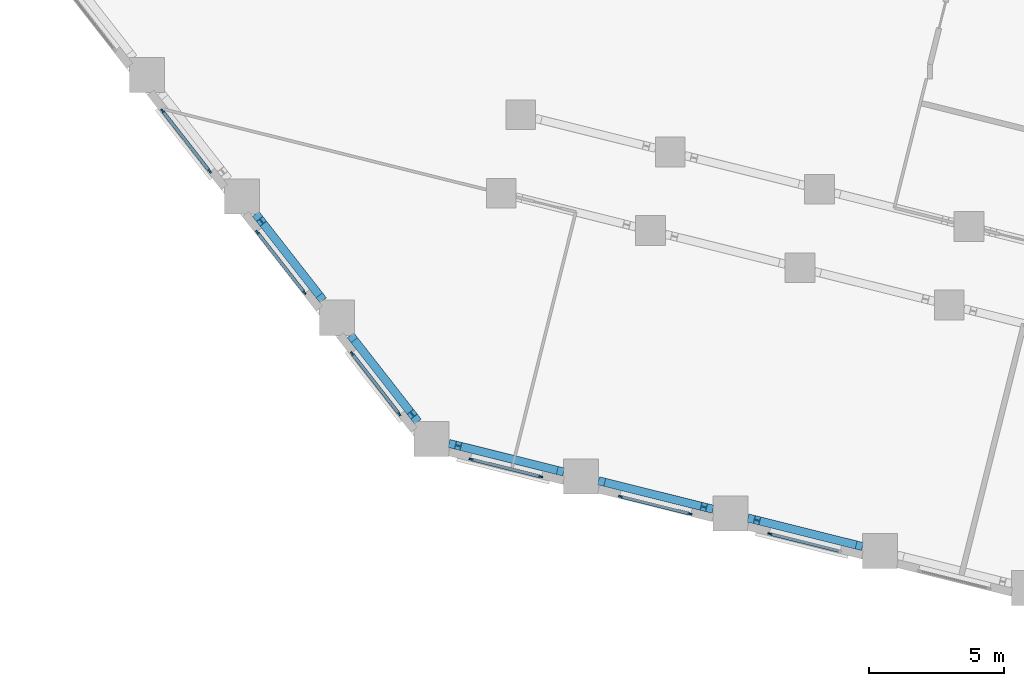
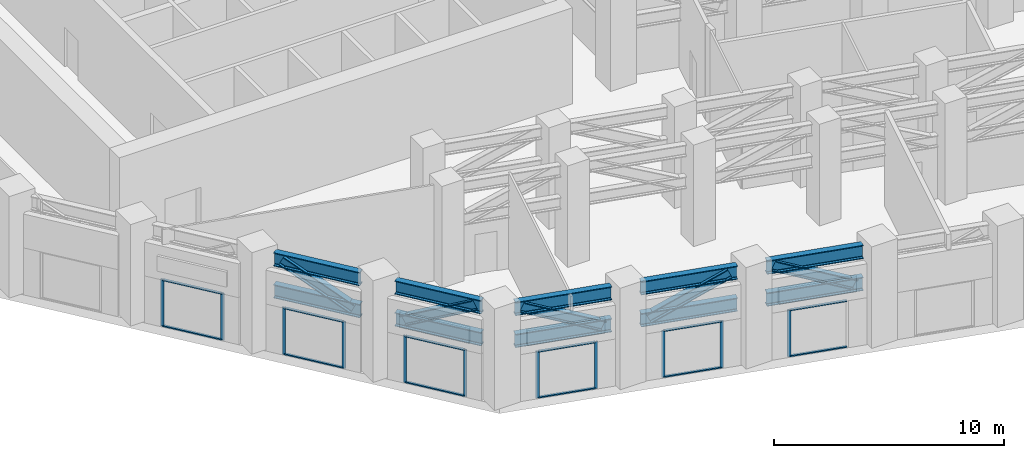
# One storey, part 2 of 21: 28 members, 10 beams, 6 elements without a shape of their own.
"""IFC4 building model written with IfcOpenShell, lengths in metres."""

from ifc_helpers import new_model, si_unit, direction, frame, origin, origin_2d, place, context, subcontext, project, spatial, rectangle, i_section, extrude, material, material_profile, profile_set, type_object, element, aggregate, save


model = new_model("IFC4")

# Units and contexts
model_context = context("Model", 3, precision=1e-05, world=origin(), true_north=direction((0.0, 1.0)))
body_context = subcontext(model_context, "Body", "Model", "MODEL_VIEW")
ifc_project = project(units=[si_unit("LENGTHUNIT", "METRE"), si_unit("AREAUNIT", "SQUARE_METRE"), si_unit("VOLUMEUNIT", "CUBIC_METRE"), si_unit("PLANEANGLEUNIT", "RADIAN"), si_unit("MASSUNIT", "GRAM", prefix="KILO")], contexts=[model_context])

# Site, building, storey
site_placement = place(None, origin())
site = spatial("IfcSite", under=ifc_project, at=site_placement, CompositionType="ELEMENT")
building_placement = place(site_placement, origin())
building = spatial("IfcBuilding", under=site, at=building_placement, Name="Meshkara Civic Tower", CompositionType="ELEMENT")
storey_placement = place(building_placement, frame((0.0, 0.0, 156.0)))
storey = spatial("IfcBuildingStorey", under=building, at=storey_placement, Name="L35", CompositionType="ELEMENT", Elevation=156.0)

# Beams
ifc_material_1 = material(Name="Steel S355", Category="steel")
ifc_material_profile_1 = material_profile(ifc_material_1, i_section(OverallWidth=0.303955078125, OverallDepth=0.716064453125, WebThickness=0.02099609375, FlangeThickness=0.0400390625, FilletRadius=0.027099609375, at=origin_2d()))
ifc_profile_set_1 = profile_set([ifc_material_profile_1], Name="Steel S355")
beam_type = type_object("IfcBeamType", Name="Belt truss chord HEM 700 S355", PredefinedType="BEAM", material=ifc_profile_set_1)
for number, where, z_axis, x_axis, name in (
    (1, (10.337890625, 4.598876953125, 4.741943359375), (0.61568372316, -0.787993371188, 0.0), (0.787993371188, 0.61568372316, 0.0), "Belt truss chord BBOW02-BOW01"),
    (2, (10.337890625, 4.598876953125, 3.0419921875), (0.61568372316, -0.787993371188, 0.0), (0.787993371188, 0.61568372316, 0.0), "Belt truss chord BBOW02-BOW01"),
):
    element("IfcBeam", number, at=place(storey_placement, frame(where, z_axis=z_axis, x_axis=x_axis)), inside=storey, type_object=beam_type, Name=name, PredefinedType="BEAM", context=body_context, shape_type="SweptSolid", body=[
        extrude(i_section(OverallWidth=0.303955078125, OverallDepth=0.716064453125, WebThickness=0.02099609375, FlangeThickness=0.0400390625, FilletRadius=0.027099609375, at=origin_2d()), origin(), (0.0, 0.0, 1.0), 4.059326171875),
    ])
for number, where, z_axis, x_axis, name in (
    (3, (13.8466796875, 0.10791015625, 4.741943359375), (0.615604368214, -0.78805536724, 0.0), (0.78805536724, 0.615604368214, 0.0), "Belt truss chord BBOW01-BOW00"),
    (4, (13.8466796875, 0.10791015625, 3.0419921875), (0.615604368214, -0.78805536724, 0.0), (0.78805536724, 0.615604368214, 0.0), "Belt truss chord BBOW01-BOW00"),
):
    element("IfcBeam", number, at=place(storey_placement, frame(where, z_axis=z_axis, x_axis=x_axis)), inside=storey, type_object=beam_type, Name=name, PredefinedType="BEAM", context=body_context, shape_type="SweptSolid", body=[
        extrude(i_section(OverallWidth=0.303955078125, OverallDepth=0.716064453125, WebThickness=0.02099609375, FlangeThickness=0.0400390625, FilletRadius=0.027099609375, at=origin_2d()), origin(), (0.0, 0.0, 1.0), 4.060302734375),
    ])
for number, where, z_axis, x_axis, name in (
    (5, (17.49609375, -3.898681640625, 4.741943359375), (0.970280349033, -0.241983562004, 0.0), (0.241983562004, 0.970280349033, 0.0), "Belt truss chord BBOW00-BS01"),
    (6, (17.49609375, -3.898681640625, 3.0419921875), (0.970280349033, -0.241983562004, 0.0), (0.241983562004, 0.970280349033, 0.0), "Belt truss chord BBOW00-BS01"),
):
    element("IfcBeam", number, at=place(storey_placement, frame(where, z_axis=z_axis, x_axis=x_axis)), inside=storey, type_object=beam_type, Name=name, PredefinedType="BEAM", context=body_context, shape_type="SweptSolid", body=[
        extrude(i_section(OverallWidth=0.303955078125, OverallDepth=0.716064453125, WebThickness=0.02099609375, FlangeThickness=0.0400390625, FilletRadius=0.027099609375, at=origin_2d()), origin(), (0.0, 0.0, 1.0), 4.37060546875),
    ])
for number, where, z_axis, x_axis, name in (
    (7, (23.027099609375, -5.27783203125, 4.741943359375), (0.970280380753, -0.241983434817, 0.0), (0.241983434817, 0.970280380753, 0.0), "Belt truss chord BBS01-BS02"),
    (8, (23.027099609375, -5.27783203125, 3.0419921875), (0.970280380753, -0.241983434817, 0.0), (0.241983434817, 0.970280380753, 0.0), "Belt truss chord BBS01-BS02"),
):
    element("IfcBeam", number, at=place(storey_placement, frame(where, z_axis=z_axis, x_axis=x_axis)), inside=storey, type_object=beam_type, Name=name, PredefinedType="BEAM", context=body_context, shape_type="SweptSolid", body=[
        extrude(i_section(OverallWidth=0.303955078125, OverallDepth=0.716064453125, WebThickness=0.02099609375, FlangeThickness=0.0400390625, FilletRadius=0.027099609375, at=origin_2d()), origin(), (0.0, 0.0, 1.0), 4.36962890625),
    ])
for number, where, z_axis, x_axis, name in (
    (9, (28.55712890625, -6.65673828125, 4.741943359375), (0.970293463154, -0.241930972304, 0.0), (0.241930972304, 0.970293463154, 0.0), "Belt truss chord BBS02-BS03"),
    (10, (28.55712890625, -6.65673828125, 3.0419921875), (0.970293463154, -0.241930972304, 0.0), (0.241930972304, 0.970293463154, 0.0), "Belt truss chord BBS02-BS03"),
):
    element("IfcBeam", number, at=place(storey_placement, frame(where, z_axis=z_axis, x_axis=x_axis)), inside=storey, type_object=beam_type, Name=name, PredefinedType="BEAM", context=body_context, shape_type="SweptSolid", body=[
        extrude(i_section(OverallWidth=0.303955078125, OverallDepth=0.716064453125, WebThickness=0.02099609375, FlangeThickness=0.0400390625, FilletRadius=0.027099609375, at=origin_2d()), origin(), (0.0, 0.0, 1.0), 4.37060546875),
    ])

# Curtain wall, members
ifc_material_2 = material(Name="Tinted double glazing", Category="glass")
curtain_wall_type = type_object("IfcCurtainWallType", Name="CW SKY LOBBY BAND", PredefinedType="NOTDEFINED", material=ifc_material_2)
curtain_wall_1_placement = place(storey_placement, origin())
curtain_wall_1 = element("IfcCurtainWall", 11, at=curtain_wall_1_placement, inside=storey, type_object=curtain_wall_type, Name="Curtain wall CW2", PredefinedType="NOTDEFINED")
ifc_material_3 = material(Name="Bronze anodised aluminium", Category="aluminium")
ifc_material_profile_2 = material_profile(ifc_material_3, rectangle(XDim=0.06005859375, YDim=0.159912109375, at=origin_2d()))
ifc_profile_set_2 = profile_set([ifc_material_profile_2], Name="Bronze anodised aluminium")
member_type_1 = type_object("IfcMemberType", Name="CW MULLION 60x160", PredefinedType="MULLION", material=ifc_profile_set_2)
member_1_placement = place(storey_placement, frame((6.891357421875, 8.409423828125, 0.0), z_axis=(0.0, 0.0, 1.0), x_axis=(0.788082140224, 0.615570093702, 0.0)))
member_1 = element("IfcMember", 12, at=member_1_placement, type_object=member_type_1, Name="CW2 mullion 1", PredefinedType="MULLION", context=body_context, shape_type="SweptSolid", body=[
    extrude(rectangle(XDim=0.06005859375, YDim=0.159912109375, at=origin_2d()), origin(), (0.0, 0.0, 1.0), 2.5),
])
member_2_placement = place(storey_placement, frame((8.631591796875, 6.181640625, 0.0), z_axis=(0.0, 0.0, 1.0), x_axis=(0.788082140224, 0.615570093702, 0.0)))
member_2 = element("IfcMember", 13, at=member_2_placement, type_object=member_type_1, Name="CW2 mullion 2", PredefinedType="MULLION", context=body_context, shape_type="SweptSolid", body=[
    extrude(rectangle(XDim=0.06005859375, YDim=0.159912109375, at=origin_2d()), origin(), (0.0, 0.0, 1.0), 2.5),
])

curtain_wall_2_placement = place(storey_placement, origin())
curtain_wall_2 = element("IfcCurtainWall", 14, at=curtain_wall_2_placement, inside=storey, type_object=curtain_wall_type, Name="Curtain wall CW2", PredefinedType="NOTDEFINED")
member_3_placement = place(storey_placement, frame((10.400390625, 3.917236328125, 0.0), z_axis=(0.0, 0.0, 1.0), x_axis=(0.788082140224, 0.615570093702, 0.0)))
member_3 = element("IfcMember", 15, at=member_3_placement, type_object=member_type_1, Name="CW2 mullion 1", PredefinedType="MULLION", context=body_context, shape_type="SweptSolid", body=[
    extrude(rectangle(XDim=0.06005859375, YDim=0.159912109375, at=origin_2d()), origin(), (0.0, 0.0, 1.0), 2.5),
])
member_4_placement = place(storey_placement, frame((12.140625, 1.689697265625, 0.0), z_axis=(0.0, 0.0, 1.0), x_axis=(0.788082140224, 0.615570093702, 0.0)))
member_4 = element("IfcMember", 16, at=member_4_placement, type_object=member_type_1, Name="CW2 mullion 2", PredefinedType="MULLION", context=body_context, shape_type="SweptSolid", body=[
    extrude(rectangle(XDim=0.06005859375, YDim=0.159912109375, at=origin_2d()), origin(), (0.0, 0.0, 1.0), 2.5),
])

curtain_wall_3_placement = place(storey_placement, origin())
curtain_wall_3 = element("IfcCurtainWall", 17, at=curtain_wall_3_placement, inside=storey, type_object=curtain_wall_type, Name="Curtain wall CW2", PredefinedType="NOTDEFINED")
member_5_placement = place(storey_placement, frame((13.909423828125, -0.57373046875, 0.0), z_axis=(0.0, 0.0, 1.0), x_axis=(0.788082140224, 0.615570093702, 0.0)))
member_5 = element("IfcMember", 18, at=member_5_placement, type_object=member_type_1, Name="CW2 mullion 1", PredefinedType="MULLION", context=body_context, shape_type="SweptSolid", body=[
    extrude(rectangle(XDim=0.06005859375, YDim=0.159912109375, at=origin_2d()), origin(), (0.0, 0.0, 1.0), 2.5),
])
member_6_placement = place(storey_placement, frame((15.6494140625, -2.80126953125, 0.0), z_axis=(0.0, 0.0, 1.0), x_axis=(0.788082140224, 0.615570093702, 0.0)))
member_6 = element("IfcMember", 19, at=member_6_placement, type_object=member_type_1, Name="CW2 mullion 2", PredefinedType="MULLION", context=body_context, shape_type="SweptSolid", body=[
    extrude(rectangle(XDim=0.06005859375, YDim=0.159912109375, at=origin_2d()), origin(), (0.0, 0.0, 1.0), 2.5),
])

curtain_wall_4_placement = place(storey_placement, origin())
curtain_wall_4 = element("IfcCurtainWall", 20, at=curtain_wall_4_placement, inside=storey, type_object=curtain_wall_type, Name="Curtain wall CW2", PredefinedType="NOTDEFINED")
member_7_placement = place(storey_placement, frame((18.314208984375, -4.484130859375, 0.0), z_axis=(0.0, 0.0, 1.0), x_axis=(0.241753943988, 0.970337585877, 0.0)))
member_7 = element("IfcMember", 21, at=member_7_placement, type_object=member_type_1, Name="CW2 mullion 1", PredefinedType="MULLION", context=body_context, shape_type="SweptSolid", body=[
    extrude(rectangle(XDim=0.06005859375, YDim=0.159912109375, at=origin_2d()), origin(), (0.0, 0.0, 1.0), 2.5),
])
member_8_placement = place(storey_placement, frame((20.885009765625, -5.124755859375, 0.0), z_axis=(0.0, 0.0, 1.0), x_axis=(0.241753943988, 0.970337585877, 0.0)))
member_8 = element("IfcMember", 22, at=member_8_placement, type_object=member_type_1, Name="CW2 mullion 2", PredefinedType="MULLION", context=body_context, shape_type="SweptSolid", body=[
    extrude(rectangle(XDim=0.06005859375, YDim=0.159912109375, at=origin_2d()), origin(), (0.0, 0.0, 1.0), 2.5),
])

curtain_wall_5_placement = place(storey_placement, origin())
curtain_wall_5 = element("IfcCurtainWall", 23, at=curtain_wall_5_placement, inside=storey, type_object=curtain_wall_type, Name="Curtain wall CW2", PredefinedType="NOTDEFINED")
member_9_placement = place(storey_placement, frame((23.84521484375, -5.86328125, 0.0), z_axis=(0.0, 0.0, 1.0), x_axis=(0.241840556268, 0.970316002828, 0.0)))
member_9 = element("IfcMember", 24, at=member_9_placement, type_object=member_type_1, Name="CW2 mullion 1", PredefinedType="MULLION", context=body_context, shape_type="SweptSolid", body=[
    extrude(rectangle(XDim=0.06005859375, YDim=0.159912109375, at=origin_2d()), origin(), (0.0, 0.0, 1.0), 2.5),
])
member_10_placement = place(storey_placement, frame((26.414794921875, -6.503662109375, 0.0), z_axis=(0.0, 0.0, 1.0), x_axis=(0.241840556268, 0.970316002828, 0.0)))
member_10 = element("IfcMember", 25, at=member_10_placement, type_object=member_type_1, Name="CW2 mullion 2", PredefinedType="MULLION", context=body_context, shape_type="SweptSolid", body=[
    extrude(rectangle(XDim=0.06005859375, YDim=0.159912109375, at=origin_2d()), origin(), (0.0, 0.0, 1.0), 2.5),
])

# Curtain wall, member
curtain_wall_6_placement = place(storey_placement, origin())
curtain_wall_6 = element("IfcCurtainWall", 26, at=curtain_wall_6_placement, inside=storey, type_object=curtain_wall_type, Name="Curtain wall CW2", PredefinedType="NOTDEFINED")
member_11_placement = place(storey_placement, frame((29.375, -7.2412109375, 0.0), z_axis=(0.0, 0.0, 1.0), x_axis=(0.242101415994, 0.970250949174, 0.0)))
member_11 = element("IfcMember", 27, at=member_11_placement, type_object=member_type_1, Name="CW2 mullion 1", PredefinedType="MULLION", context=body_context, shape_type="SweptSolid", body=[
    extrude(rectangle(XDim=0.06005859375, YDim=0.159912109375, at=origin_2d()), origin(), (0.0, 0.0, 1.0), 2.5),
])

# Member
ifc_material_4 = material(Name="Bronze anodised aluminium", Category="aluminium")
ifc_material_profile_3 = material_profile(ifc_material_4, rectangle(XDim=0.1201171875, YDim=0.06005859375, at=origin_2d()))
ifc_profile_set_3 = profile_set([ifc_material_profile_3], Name="Bronze anodised aluminium")
member_type_2 = type_object("IfcMemberType", Name="CW TRANSOM 60x120", PredefinedType="USERDEFINED", material=ifc_profile_set_3)
member_12_placement = place(storey_placement, frame((6.909912109375, 8.3857421875, 0.030029296875), z_axis=(0.615570406871, -0.788081895608, 0.0), x_axis=(0.788081895608, 0.615570406871, 0.0)))
member_12 = element("IfcMember", 28, at=member_12_placement, type_object=member_type_2, Name="CW2 transom 1.1", ObjectType="TRANSOM", PredefinedType="USERDEFINED", context=body_context, shape_type="SweptSolid", body=[
    extrude(rectangle(XDim=0.1201171875, YDim=0.06005859375, at=origin_2d()), origin(), (0.0, 0.0, 1.0), 2.766845703125),
])

member_13_placement = place(storey_placement, frame((6.909912109375, 8.3857421875, 2.469970703125), z_axis=(0.615570406871, -0.788081895608, 0.0), x_axis=(0.788081895608, 0.615570406871, 0.0)))
member_13 = element("IfcMember", 29, at=member_13_placement, type_object=member_type_2, Name="CW2 transom 1.2", ObjectType="TRANSOM", PredefinedType="USERDEFINED", context=body_context, shape_type="SweptSolid", body=[
    extrude(rectangle(XDim=0.1201171875, YDim=0.06005859375, at=origin_2d()), origin(), (0.0, 0.0, 1.0), 2.766845703125),
])

aggregate(curtain_wall_1, [member_1, member_2, member_12, member_13])

member_14_placement = place(storey_placement, frame((10.4189453125, 3.893798828125, 0.030029296875), z_axis=(0.615570406871, -0.788081895608, 0.0), x_axis=(0.788081895608, 0.615570406871, 0.0)))
member_14 = element("IfcMember", 30, at=member_14_placement, type_object=member_type_2, Name="CW2 transom 1.1", ObjectType="TRANSOM", PredefinedType="USERDEFINED", context=body_context, shape_type="SweptSolid", body=[
    extrude(rectangle(XDim=0.1201171875, YDim=0.06005859375, at=origin_2d()), origin(), (0.0, 0.0, 1.0), 2.766845703125),
])

member_15_placement = place(storey_placement, frame((10.4189453125, 3.893798828125, 2.469970703125), z_axis=(0.615570406871, -0.788081895608, 0.0), x_axis=(0.788081895608, 0.615570406871, 0.0)))
member_15 = element("IfcMember", 31, at=member_15_placement, type_object=member_type_2, Name="CW2 transom 1.2", ObjectType="TRANSOM", PredefinedType="USERDEFINED", context=body_context, shape_type="SweptSolid", body=[
    extrude(rectangle(XDim=0.1201171875, YDim=0.06005859375, at=origin_2d()), origin(), (0.0, 0.0, 1.0), 2.766845703125),
])

aggregate(curtain_wall_2, [member_3, member_4, member_14, member_15])

member_16_placement = place(storey_placement, frame((13.927978515625, -0.59716796875, 0.030029296875), z_axis=(0.615527601392, -0.788115329076, 0.0), x_axis=(0.788115329076, 0.615527601392, 0.0)))
member_16 = element("IfcMember", 32, at=member_16_placement, type_object=member_type_2, Name="CW2 transom 1.1", ObjectType="TRANSOM", PredefinedType="USERDEFINED", context=body_context, shape_type="SweptSolid", body=[
    extrude(rectangle(XDim=0.1201171875, YDim=0.06005859375, at=origin_2d()), origin(), (0.0, 0.0, 1.0), 2.766845703125),
])

member_17_placement = place(storey_placement, frame((13.927978515625, -0.59716796875, 2.469970703125), z_axis=(0.615527601392, -0.788115329076, 0.0), x_axis=(0.788115329076, 0.615527601392, 0.0)))
member_17 = element("IfcMember", 33, at=member_17_placement, type_object=member_type_2, Name="CW2 transom 1.2", ObjectType="TRANSOM", PredefinedType="USERDEFINED", context=body_context, shape_type="SweptSolid", body=[
    extrude(rectangle(XDim=0.1201171875, YDim=0.06005859375, at=origin_2d()), origin(), (0.0, 0.0, 1.0), 2.766845703125),
])

aggregate(curtain_wall_3, [member_5, member_6, member_16, member_17])

member_18_placement = place(storey_placement, frame((18.34326171875, -4.491455078125, 0.030029296875), z_axis=(0.970336315443, -0.241759043125, 0.0), x_axis=(0.241759043125, 0.970336315443, 0.0)))
member_18 = element("IfcMember", 34, at=member_18_placement, type_object=member_type_2, Name="CW2 transom 1.1", ObjectType="TRANSOM", PredefinedType="USERDEFINED", context=body_context, shape_type="SweptSolid", body=[
    extrude(rectangle(XDim=0.1201171875, YDim=0.06005859375, at=origin_2d()), origin(), (0.0, 0.0, 1.0), 2.58935546875),
])

member_19_placement = place(storey_placement, frame((18.34326171875, -4.491455078125, 2.469970703125), z_axis=(0.970336315443, -0.241759043125, 0.0), x_axis=(0.241759043125, 0.970336315443, 0.0)))
member_19 = element("IfcMember", 35, at=member_19_placement, type_object=member_type_2, Name="CW2 transom 1.2", ObjectType="TRANSOM", PredefinedType="USERDEFINED", context=body_context, shape_type="SweptSolid", body=[
    extrude(rectangle(XDim=0.1201171875, YDim=0.06005859375, at=origin_2d()), origin(), (0.0, 0.0, 1.0), 2.58935546875),
])

aggregate(curtain_wall_4, [member_7, member_8, member_18, member_19])

member_20_placement = place(storey_placement, frame((23.874267578125, -5.87060546875, 0.030029296875), z_axis=(0.970314259349, -0.241847551373, 0.0), x_axis=(0.241847551373, 0.970314259349, 0.0)))
member_20 = element("IfcMember", 36, at=member_20_placement, type_object=member_type_2, Name="CW2 transom 1.1", ObjectType="TRANSOM", PredefinedType="USERDEFINED", context=body_context, shape_type="SweptSolid", body=[
    extrude(rectangle(XDim=0.1201171875, YDim=0.06005859375, at=origin_2d()), origin(), (0.0, 0.0, 1.0), 2.58837890625),
])

member_21_placement = place(storey_placement, frame((23.874267578125, -5.87060546875, 2.469970703125), z_axis=(0.970314259349, -0.241847551373, 0.0), x_axis=(0.241847551373, 0.970314259349, 0.0)))
member_21 = element("IfcMember", 37, at=member_21_placement, type_object=member_type_2, Name="CW2 transom 1.2", ObjectType="TRANSOM", PredefinedType="USERDEFINED", context=body_context, shape_type="SweptSolid", body=[
    extrude(rectangle(XDim=0.1201171875, YDim=0.06005859375, at=origin_2d()), origin(), (0.0, 0.0, 1.0), 2.58837890625),
])

aggregate(curtain_wall_5, [member_9, member_10, member_20, member_21])

member_22_placement = place(storey_placement, frame((29.404296875, -7.24853515625, 0.030029296875), z_axis=(0.970247781684, -0.242114109743, 0.0), x_axis=(0.242114109743, 0.970247781684, 0.0)))
member_22 = element("IfcMember", 38, at=member_22_placement, type_object=member_type_2, Name="CW2 transom 1.1", ObjectType="TRANSOM", PredefinedType="USERDEFINED", context=body_context, shape_type="SweptSolid", body=[
    extrude(rectangle(XDim=0.1201171875, YDim=0.06005859375, at=origin_2d()), origin(), (0.0, 0.0, 1.0), 2.589599609375),
])

member_23_placement = place(storey_placement, frame((29.404296875, -7.24853515625, 2.469970703125), z_axis=(0.970247781684, -0.242114109743, 0.0), x_axis=(0.242114109743, 0.970247781684, 0.0)))
member_23 = element("IfcMember", 39, at=member_23_placement, type_object=member_type_2, Name="CW2 transom 1.2", ObjectType="TRANSOM", PredefinedType="USERDEFINED", context=body_context, shape_type="SweptSolid", body=[
    extrude(rectangle(XDim=0.1201171875, YDim=0.06005859375, at=origin_2d()), origin(), (0.0, 0.0, 1.0), 2.589599609375),
])

aggregate(curtain_wall_6, [member_11, member_22, member_23])

# Members
ifc_material_5 = material(Name="Steel S355", Category="steel")
ifc_material_profile_4 = material_profile(ifc_material_5, i_section(OverallWidth=0.305908203125, OverallDepth=0.52392578125, WebThickness=0.02392578125, FlangeThickness=0.0400390625, FilletRadius=0.027099609375, at=origin_2d()))
ifc_profile_set_4 = profile_set([ifc_material_profile_4], Name="Steel S355")
member_type_3 = type_object("IfcMemberType", Name="Truss diagonal HEM 500 S355", PredefinedType="BRACE", material=ifc_profile_set_4)
member_24_placement = place(storey_placement, frame((10.55322265625, 4.322998046875, 4.741943359375), z_axis=(0.549355811264, -0.703100219727, -0.45150667066), x_axis=(0.78799242126, 0.615684938939, 0.0)))
element("IfcMember", 40, at=member_24_placement, inside=storey, type_object=member_type_3, Name="TD-BBOW02-BOW01-L35", PredefinedType="BRACE", context=body_context, shape_type="SweptSolid", body=[
    extrude(i_section(OverallWidth=0.305908203125, OverallDepth=0.52392578125, WebThickness=0.02392578125, FlangeThickness=0.0400390625, FilletRadius=0.027099609375, at=origin_2d()), origin(), (0.0, 0.0, 1.0), 3.76513671875),
])
member_25_placement = place(storey_placement, frame((14.06201171875, -0.16796875, 3.0419921875), z_axis=(0.549346172998, -0.703181253069, 0.451392188174), x_axis=(0.788032083614, 0.615634173186, 0.0)))
element("IfcMember", 41, at=member_25_placement, inside=storey, type_object=member_type_3, Name="TD-BBOW01-BOW00-L35", PredefinedType="BRACE", context=body_context, shape_type="SweptSolid", body=[
    extrude(i_section(OverallWidth=0.305908203125, OverallDepth=0.52392578125, WebThickness=0.02392578125, FlangeThickness=0.0400390625, FilletRadius=0.027099609375, at=origin_2d()), origin(), (0.0, 0.0, 1.0), 3.76611328125),
])
member_26_placement = place(storey_placement, frame((17.835693359375, -3.9833984375, 4.741943359375), z_axis=(0.880445153912, -0.21956810186, -0.420245380223), x_axis=(0.241972184814, 0.970283186382, 0.0)))
element("IfcMember", 42, at=member_26_placement, inside=storey, type_object=member_type_3, Name="TD-BBOW00-BS01-L35", PredefinedType="BRACE", context=body_context, shape_type="SweptSolid", body=[
    extrude(i_section(OverallWidth=0.305908203125, OverallDepth=0.52392578125, WebThickness=0.02392578125, FlangeThickness=0.0400390625, FilletRadius=0.027099609375, at=origin_2d()), origin(), (0.0, 0.0, 1.0), 4.045166015625),
])
member_27_placement = place(storey_placement, frame((23.36669921875, -5.362548828125, 3.0419921875), z_axis=(0.88040253266, -0.219557323867, 0.420340293123), x_axis=(0.241972030243, 0.97028322493, 0.0)))
element("IfcMember", 43, at=member_27_placement, inside=storey, type_object=member_type_3, Name="TD-BBS01-BS02-L35", PredefinedType="BRACE", context=body_context, shape_type="SweptSolid", body=[
    extrude(i_section(OverallWidth=0.305908203125, OverallDepth=0.52392578125, WebThickness=0.02392578125, FlangeThickness=0.0400390625, FilletRadius=0.027099609375, at=origin_2d()), origin(), (0.0, 0.0, 1.0), 4.044189453125),
])
member_28_placement = place(storey_placement, frame((28.896728515625, -6.741455078125, 4.741943359375), z_axis=(0.880456820048, -0.219510656328, -0.420250948588), x_axis=(0.24190956522, 0.970298800502, 0.0)))
element("IfcMember", 44, at=member_28_placement, inside=storey, type_object=member_type_3, Name="TD-BBS02-BS03-L35", PredefinedType="BRACE", context=body_context, shape_type="SweptSolid", body=[
    extrude(i_section(OverallWidth=0.305908203125, OverallDepth=0.52392578125, WebThickness=0.02392578125, FlangeThickness=0.0400390625, FilletRadius=0.027099609375, at=origin_2d()), origin(), (0.0, 0.0, 1.0), 4.045166015625),
])

save(model, "model.ifc")
